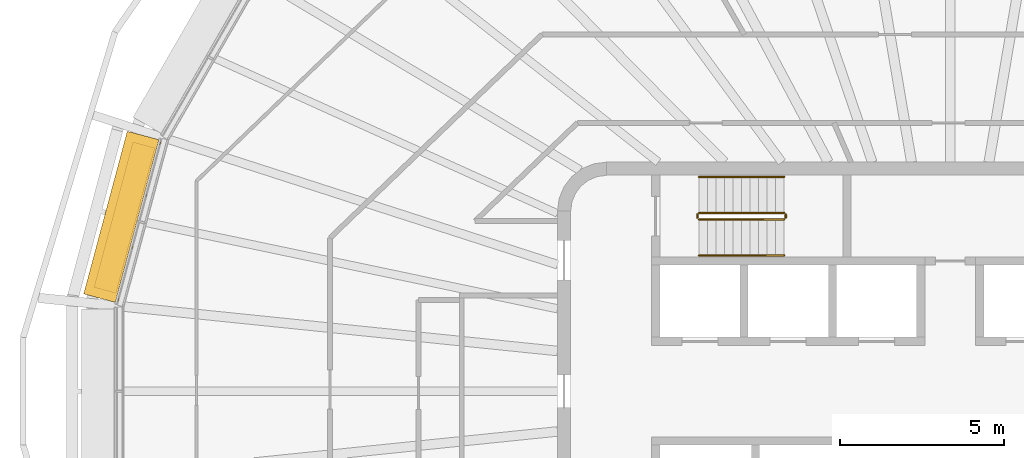
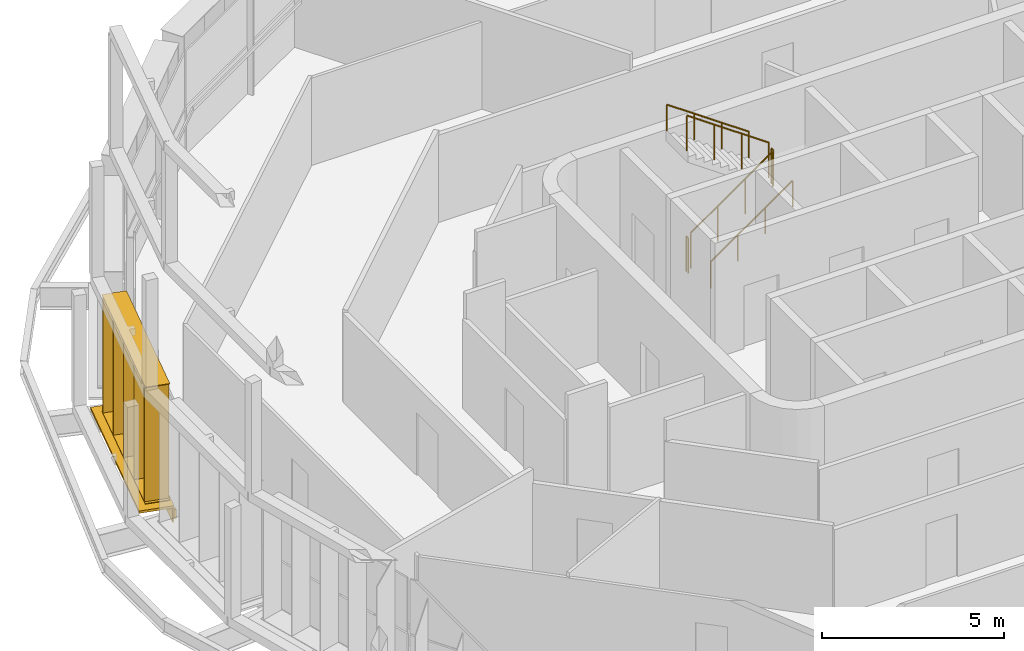
# One storey, part 15 of 18: 6 railings, 2 shading devices.
"""IFC4 building model written with IfcOpenShell, lengths in metres."""

from ifc_helpers import new_model, si_unit, direction, frame, origin, origin_2d, place, context, subcontext, project, spatial, rectangle, circle, extrude, material, type_object, element, save


model = new_model("IFC4")

# Units and contexts
model_context = context("Model", 3, precision=1e-05, world=origin(), true_north=direction((0.0, 1.0)))
body_context = subcontext(model_context, "Body", "Model", "MODEL_VIEW")
ifc_project = project(units=[si_unit("LENGTHUNIT", "METRE"), si_unit("AREAUNIT", "SQUARE_METRE"), si_unit("VOLUMEUNIT", "CUBIC_METRE"), si_unit("PLANEANGLEUNIT", "RADIAN"), si_unit("MASSUNIT", "GRAM", prefix="KILO")], contexts=[model_context])

# Site, building, storey
site_placement = place(None, origin())
site = spatial("IfcSite", under=ifc_project, at=site_placement, CompositionType="ELEMENT")
building_placement = place(site_placement, origin())
building = spatial("IfcBuilding", under=site, at=building_placement, Name="Sahrelin Media Tower", CompositionType="ELEMENT")
storey_placement = place(building_placement, frame((0.0, 0.0, 312.39990234375)))
storey = spatial("IfcBuildingStorey", under=building, at=storey_placement, Name="L69", CompositionType="ELEMENT", Elevation=312.39990234375)

# Shading device
ifc_material_1 = material(Name="Champagne anodised aluminium 6063-T6", Category="aluminium")
shading_device_type_1 = type_object("IfcShadingDeviceType", Name="Fin cassette", PredefinedType="USERDEFINED", material=ifc_material_1)
placement = place(storey_placement, frame((-24.824951171875, 5.195068359375, 0.0), z_axis=(0.0, 0.0, 1.0), x_axis=(0.258807731996, 0.965928857556, 0.0)))
element("IfcShadingDevice", 1, at=placement, inside=storey, type_object=shading_device_type_1, Name="L69:FIN:L69-11", ObjectType="FIN", PredefinedType="USERDEFINED", context=body_context, shape_type="SweptSolid", body=[
    extrude(rectangle(XDim=4.60009765625, YDim=0.699951171875, at=origin_2d()), frame((0.0, 0.419921875, 0.0)), (0.0, 0.0, 1.0), 0.02001953125),
    extrude(rectangle(XDim=4.60009765625, YDim=0.699951171875, at=origin_2d()), frame((0.0, 0.419921875, 3.89990234375)), (0.0, 0.0, 1.0), 0.02001953125),
    extrude(rectangle(XDim=0.02001953125, YDim=0.699951171875, at=origin_2d()), frame((-2.199951171875, 0.419921875, 0.010009765625), z_axis=(0.0, 0.0, 1.0), x_axis=(1.0, 0.0, 0.0)), (0.0, 0.0, 1.0), 3.89990234375),
    extrude(rectangle(XDim=0.02001953125, YDim=0.699951171875, at=origin_2d()), frame((-1.10009765625, 0.419921875, 0.010009765625), z_axis=(0.0, 0.0, 1.0), x_axis=(1.0, 0.0, 0.0)), (0.0, 0.0, 1.0), 3.89990234375),
    extrude(rectangle(XDim=0.02001953125, YDim=0.699951171875, at=origin_2d()), frame((0.0, 0.419921875, 0.010009765625), z_axis=(0.0, 0.0, 1.0), x_axis=(1.0, 0.0, 0.0)), (0.0, 0.0, 1.0), 3.89990234375),
    extrude(rectangle(XDim=0.02001953125, YDim=0.699951171875, at=origin_2d()), frame((1.10009765625, 0.419921875, 0.010009765625), z_axis=(0.0, 0.0, 1.0), x_axis=(1.0, 0.0, 0.0)), (0.0, 0.0, 1.0), 3.89990234375),
    extrude(rectangle(XDim=0.02001953125, YDim=0.699951171875, at=origin_2d()), frame((2.199951171875, 0.419921875, 0.010009765625), z_axis=(0.0, 0.0, 1.0), x_axis=(1.0, 0.0, 0.0)), (0.0, 0.0, 1.0), 3.89990234375),
])

# Railings
ifc_material_2 = material(Name="Steel S355", Category="steel")
railing_type_1 = type_object("IfcRailingType", Name="Stair guard 1200", PredefinedType="GUARDRAIL", material=ifc_material_2)
railing_1_placement = place(storey_placement, frame((-7.675048828125, 5.25, 0.181884765625)))
element("IfcRailing", 2, at=railing_1_placement, inside=storey, type_object=railing_type_1, Name="L69 ST1 stair guard 1", PredefinedType="GUARDRAIL", context=body_context, shape_type="SweptSolid", body=[
    extrude(circle(Radius=0.02392578125, at=origin_2d()), frame((0.0, 0.0, 1.17578125), z_axis=(0.819521025635, 0.0, 0.573049115296), x_axis=(0.0, 1.0, 0.0)), (0.0, 0.0, 1.0), 3.172607421875),
    extrude(circle(Radius=0.02099609375, at=origin_2d()), origin(), (0.0, 0.0, 1.0), 1.15185546875),
    extrude(circle(Radius=0.02099609375, at=origin_2d()), frame((0.86669921875, 0.0, 0.60595703125)), (0.0, 0.0, 1.0), 1.15185546875),
    extrude(circle(Radius=0.02099609375, at=origin_2d()), frame((1.7333984375, 0.0, 1.212158203125)), (0.0, 0.0, 1.0), 1.15185546875),
    extrude(circle(Radius=0.02099609375, at=origin_2d()), frame((2.60009765625, 0.0, 1.818115234375)), (0.0, 0.0, 1.0), 1.15185546875),
])
railing_2_placement = place(storey_placement, frame((-5.02490234375, 5.300048828125, 2.0)))
element("IfcRailing", 3, at=railing_2_placement, inside=storey, type_object=railing_type_1, Name="L69 ST1 stair guard 2", PredefinedType="GUARDRAIL", context=body_context, shape_type="SweptSolid", body=[
    extrude(circle(Radius=0.02392578125, at=origin_2d()), frame((0.0, 0.0, 1.17578125), z_axis=(0.0, 1.0, 0.0), x_axis=(-1.0, 0.0, 0.0)), (0.0, 0.0, 1.0), 0.099853515625),
    extrude(circle(Radius=0.02099609375, at=origin_2d()), origin(), (0.0, 0.0, 1.0), 1.15185546875),
    extrude(circle(Radius=0.02099609375, at=origin_2d()), frame((0.0, 0.099853515625, 0.0)), (0.0, 0.0, 1.0), 1.15185546875),
])
railing_3_placement = place(storey_placement, frame((-5.074951171875, 5.449951171875, 2.181884765625)))
element("IfcRailing", 4, at=railing_3_placement, inside=storey, type_object=railing_type_1, Name="L69 ST1 stair guard 3", PredefinedType="GUARDRAIL", context=body_context, shape_type="SweptSolid", body=[
    extrude(circle(Radius=0.02392578125, at=origin_2d()), frame((0.0, 0.0, 1.17578125), z_axis=(-0.819521025635, 0.0, 0.573049115296), x_axis=(0.0, -1.0, 0.0)), (0.0, 0.0, 1.0), 3.172607421875),
    extrude(circle(Radius=0.02099609375, at=origin_2d()), origin(), (0.0, 0.0, 1.0), 1.15185546875),
    extrude(circle(Radius=0.02099609375, at=origin_2d()), frame((-0.86669921875, 0.0, 0.60595703125)), (0.0, 0.0, 1.0), 1.15185546875),
    extrude(circle(Radius=0.02099609375, at=origin_2d()), frame((-1.7333984375, 0.0, 1.212158203125)), (0.0, 0.0, 1.0), 1.15185546875),
    extrude(circle(Radius=0.02099609375, at=origin_2d()), frame((-2.60009765625, 0.0, 1.818115234375)), (0.0, 0.0, 1.0), 1.15185546875),
])
railing_4_placement = place(storey_placement, frame((-7.72509765625, 5.300048828125, 0.0)))
element("IfcRailing", 5, at=railing_4_placement, inside=storey, type_object=railing_type_1, Name="L69 ST1 stair guard 4", PredefinedType="GUARDRAIL", context=body_context, shape_type="SweptSolid", body=[
    extrude(circle(Radius=0.02392578125, at=origin_2d()), frame((0.0, 0.0, 1.17578125), z_axis=(0.0, 1.0, 0.0), x_axis=(-1.0, 0.0, 0.0)), (0.0, 0.0, 1.0), 0.099853515625),
    extrude(circle(Radius=0.02099609375, at=origin_2d()), origin(), (0.0, 0.0, 1.0), 1.15185546875),
    extrude(circle(Radius=0.02099609375, at=origin_2d()), frame((0.0, 0.099853515625, 0.0)), (0.0, 0.0, 1.0), 1.15185546875),
])
railing_type_2 = type_object("IfcRailingType", Name="Stair handrail 900", PredefinedType="HANDRAIL", material=ifc_material_2)
railing_5_placement = place(storey_placement, frame((-7.675048828125, 4.14990234375, 0.181884765625)))
element("IfcRailing", 6, at=railing_5_placement, inside=storey, type_object=railing_type_2, Name="L69 ST1 stair handrail 1", PredefinedType="HANDRAIL", context=body_context, shape_type="SweptSolid", body=[
    extrude(circle(Radius=0.02392578125, at=origin_2d()), frame((0.0, 0.0, 0.8759765625), z_axis=(0.819521025635, 0.0, 0.573049115296), x_axis=(0.0, 1.0, 0.0)), (0.0, 0.0, 1.0), 3.172607421875),
    extrude(circle(Radius=0.02099609375, at=origin_2d()), origin(), (0.0, 0.0, 1.0), 0.851806640625),
    extrude(circle(Radius=0.02099609375, at=origin_2d()), frame((0.86669921875, 0.0, 0.60595703125)), (0.0, 0.0, 1.0), 0.851806640625),
    extrude(circle(Radius=0.02099609375, at=origin_2d()), frame((1.7333984375, 0.0, 1.212158203125)), (0.0, 0.0, 1.0), 0.851806640625),
    extrude(circle(Radius=0.02099609375, at=origin_2d()), frame((2.60009765625, 0.0, 1.818115234375)), (0.0, 0.0, 1.0), 0.851806640625),
])
railing_6_placement = place(storey_placement, frame((-5.074951171875, 6.550048828125, 2.181884765625)))
element("IfcRailing", 7, at=railing_6_placement, inside=storey, type_object=railing_type_2, Name="L69 ST1 stair handrail 2", PredefinedType="HANDRAIL", context=body_context, shape_type="SweptSolid", body=[
    extrude(circle(Radius=0.02392578125, at=origin_2d()), frame((0.0, 0.0, 0.8759765625), z_axis=(-0.819521025635, 0.0, 0.573049115296), x_axis=(0.0, -1.0, 0.0)), (0.0, 0.0, 1.0), 3.172607421875),
    extrude(circle(Radius=0.02099609375, at=origin_2d()), origin(), (0.0, 0.0, 1.0), 0.851806640625),
    extrude(circle(Radius=0.02099609375, at=origin_2d()), frame((-0.86669921875, 0.0, 0.60595703125)), (0.0, 0.0, 1.0), 0.851806640625),
    extrude(circle(Radius=0.02099609375, at=origin_2d()), frame((-1.7333984375, 0.0, 1.212158203125)), (0.0, 0.0, 1.0), 0.851806640625),
    extrude(circle(Radius=0.02099609375, at=origin_2d()), frame((-2.60009765625, 0.0, 1.818115234375)), (0.0, 0.0, 1.0), 0.851806640625),
])

# Shading device
shading_device_type_2 = type_object("IfcShadingDeviceType", Name="Sunshade band", PredefinedType="USERDEFINED", material=ifc_material_1)
element("IfcShadingDevice", 8, at=placement, inside=storey, type_object=shading_device_type_2, Name="L69:SUN:L69-11", ObjectType="SUNSHADE", PredefinedType="USERDEFINED", context=body_context, shape_type="SweptSolid", body=[
    extrude(rectangle(XDim=5.14599609375, YDim=0.050048828125, at=origin_2d()), frame((0.0, 0.044921875, -0.55126953125)), (0.0, 0.0, 1.0), 0.471435546875),
    extrude(rectangle(XDim=5.14599609375, YDim=1.0, at=origin_2d()), frame((0.0, 0.52001953125, -0.080078125)), (0.0, 0.0, 1.0), 0.080078125),
    extrude(rectangle(XDim=0.10009765625, YDim=0.074951171875, at=origin_2d()), frame((-2.472900390625, -0.017578125, -0.47021484375)), (0.0, 0.0, 1.0), 0.300048828125),
    extrude(rectangle(XDim=0.10009765625, YDim=0.074951171875, at=origin_2d()), frame((-0.82421875, -0.017578125, -0.47021484375)), (0.0, 0.0, 1.0), 0.300048828125),
    extrude(rectangle(XDim=0.10009765625, YDim=0.074951171875, at=origin_2d()), frame((0.82421875, -0.017578125, -0.47021484375)), (0.0, 0.0, 1.0), 0.300048828125),
    extrude(rectangle(XDim=0.10009765625, YDim=0.074951171875, at=origin_2d()), frame((2.472900390625, -0.017578125, -0.47021484375)), (0.0, 0.0, 1.0), 0.300048828125),
])

save(model, "model.ifc")
